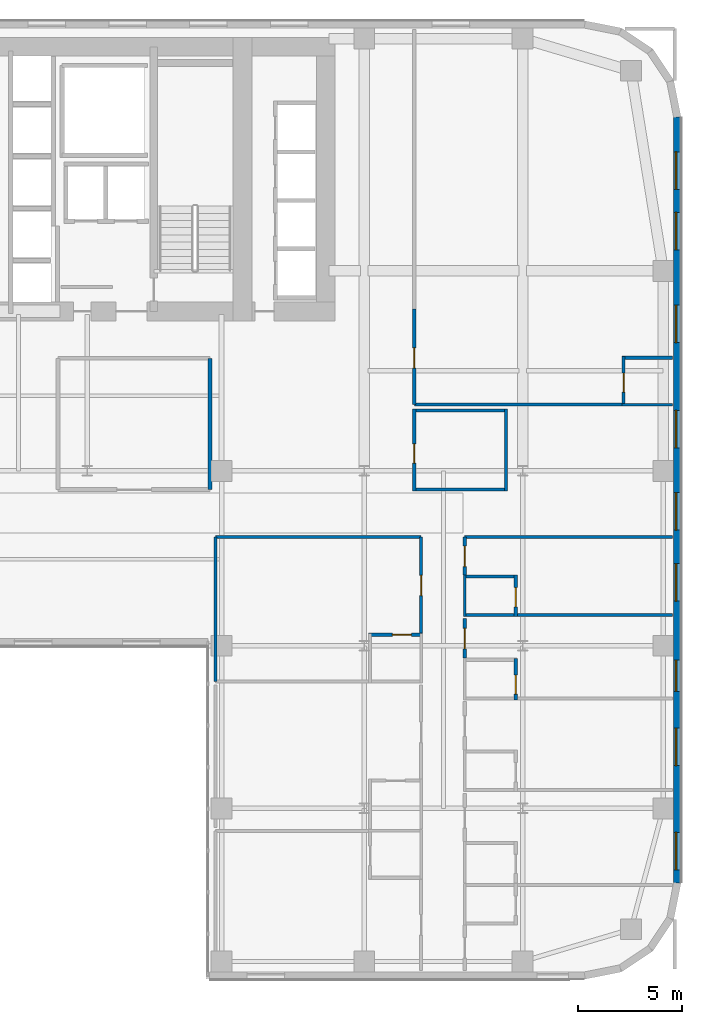
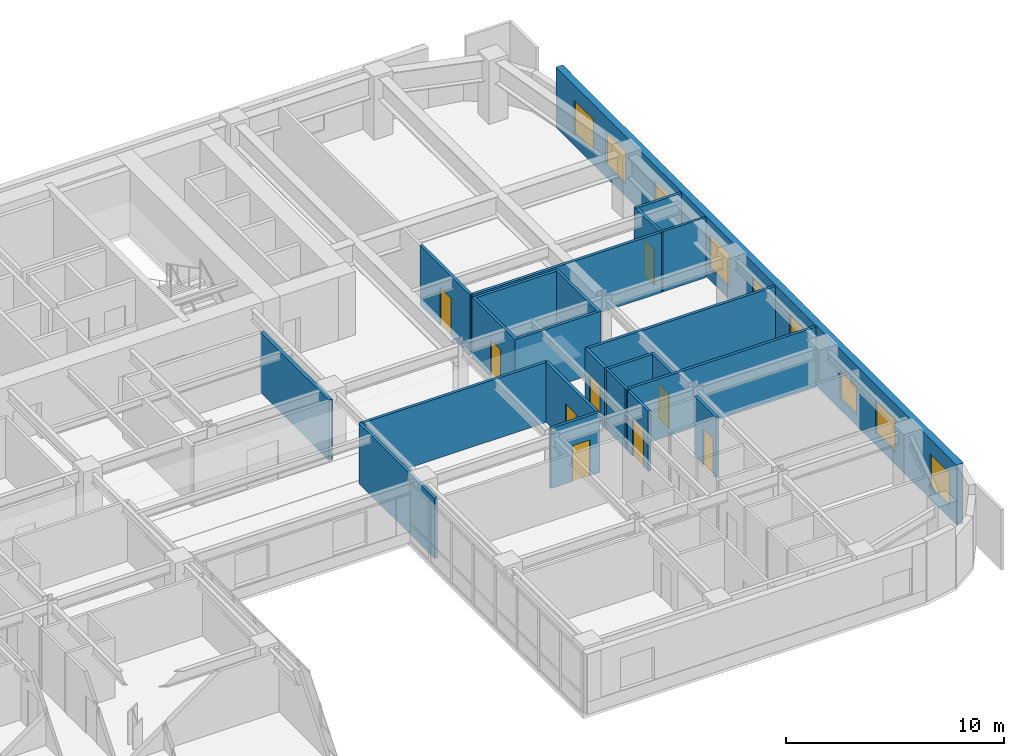
# One storey, part 17 of 25: 23 walls, 9 doors, 9 windows, 18 openings.
"""IFC4 building model written with IfcOpenShell, lengths in metres."""

from ifc_helpers import new_model, si_unit, direction, frame, frame_2d, origin, place, context, subcontext, project, spatial, rectangle, extrude, source, transform, mapped, material, layer, layer_set, type_object, type_shapes, element, fill, save


model = new_model("IFC4")

# Units and contexts
model_context = context("Model", 3, precision=1e-05, world=origin(), true_north=direction((0.0, 1.0)))
body_context = subcontext(model_context, "Body", "Model", "MODEL_VIEW")
ifc_project = project(units=[si_unit("LENGTHUNIT", "METRE"), si_unit("AREAUNIT", "SQUARE_METRE"), si_unit("VOLUMEUNIT", "CUBIC_METRE"), si_unit("PLANEANGLEUNIT", "RADIAN"), si_unit("MASSUNIT", "GRAM", prefix="KILO")], contexts=[model_context])

# Site, building, storey
site_placement = place(None, origin())
site = spatial("IfcSite", under=ifc_project, at=site_placement, CompositionType="ELEMENT")
building_placement = place(site_placement, origin())
building = spatial("IfcBuilding", under=site, at=building_placement, Name="Tolvann Quenvar Hotel", CompositionType="ELEMENT")
storey_placement = place(building_placement, frame((0.0, 0.0, 39.10009765625)))
storey = spatial("IfcBuildingStorey", under=building, at=storey_placement, Name="L08", CompositionType="ELEMENT", Elevation=39.10009765625)

# Wall, openings, windows
ifc_material_1 = material(Name="Kiln-fired red and buff architectural clay brickwork and terracotta masonry", Category="masonry")
ifc_layer_1 = layer(ifc_material_1, 0.35009765625)
ifc_layer_set_1 = layer_set([ifc_layer_1], Name="Kiln-fired red and buff architectural clay brickwork and terracotta masonry")
wall_type_1 = type_object("IfcWallType", Name="WALL_EXT_BRICK_350", PredefinedType="SOLIDWALL", material=ifc_layer_set_1)
wall_1_placement = place(storey_placement, frame((56.824951171875, 4.6171875, 0.0), z_axis=(0.0, 0.0, 1.0), x_axis=(0.0, 1.0, 0.0)))
wall_1 = element("IfcWall", 1, at=wall_1_placement, inside=storey, type_object=wall_type_1, Name="Exterior Chicago Brick Wall L08-E13", PredefinedType="SOLIDWALL", context=body_context, shape_type="SweptSolid", body=[
    extrude(rectangle(XDim=36.765625, YDim=0.35009765625, at=frame_2d((18.3828125, 0.0))), origin(), (0.0, 0.0, 1.0), 3.369873046875),
])
opening_1_placement = place(wall_1_placement, frame((0.6259765625, 0.0, 0.679931640625)))
opening_1 = element("IfcOpeningElement", 2, at=opening_1_placement, cuts=wall_1, Name="Opening W-03", PredefinedType="OPENING", context=body_context, shape_type="SweptSolid", body=[
    extrude(rectangle(XDim=1.800048828125, YDim=1.85009765625, at=frame_2d((0.89990234375, 0.925048828125))), frame((0.0, 0.18505859375, 0.0), z_axis=(0.0, -1.0, 0.0), x_axis=(1.0, 0.0, 0.0)), (0.0, 0.0, 1.0), 0.3701171875),
])
opening_2_placement = place(wall_1_placement, frame((5.6279296875, 0.0, 0.679931640625)))
opening_2 = element("IfcOpeningElement", 3, at=opening_2_placement, cuts=wall_1, Name="Opening W-03", PredefinedType="OPENING", context=body_context, shape_type="SweptSolid", body=[
    extrude(rectangle(XDim=1.800048828125, YDim=1.85009765625, at=frame_2d((0.89990234375, 0.925048828125))), frame((0.0, 0.18505859375, 0.0), z_axis=(0.0, -1.0, 0.0), x_axis=(1.0, 0.0, 0.0)), (0.0, 0.0, 1.0), 0.3701171875),
])
opening_3_placement = place(wall_1_placement, frame((13.531005859375, 0.0, 0.679931640625)))
opening_3 = element("IfcOpeningElement", 4, at=opening_3_placement, cuts=wall_1, Name="Opening W-03", PredefinedType="OPENING", context=body_context, shape_type="SweptSolid", body=[
    extrude(rectangle(XDim=1.800048828125, YDim=1.85009765625, at=frame_2d((0.89990234375, 0.925048828125))), frame((0.0, 0.18505859375, 0.0), z_axis=(0.0, -1.0, 0.0), x_axis=(1.0, 0.0, 0.0)), (0.0, 0.0, 1.0), 0.3701171875),
])
opening_4_placement = place(wall_1_placement, frame((16.93310546875, 0.0, 0.679931640625)))
opening_4 = element("IfcOpeningElement", 5, at=opening_4_placement, cuts=wall_1, Name="Opening W-03", PredefinedType="OPENING", context=body_context, shape_type="SweptSolid", body=[
    extrude(rectangle(XDim=1.800048828125, YDim=1.85009765625, at=frame_2d((0.89990234375, 0.925048828125))), frame((0.0, 0.18505859375, 0.0), z_axis=(0.0, -1.0, 0.0), x_axis=(1.0, 0.0, 0.0)), (0.0, 0.0, 1.0), 0.3701171875),
])
opening_5_placement = place(wall_1_placement, frame((20.885009765625, 0.0, 0.679931640625)))
opening_5 = element("IfcOpeningElement", 6, at=opening_5_placement, cuts=wall_1, Name="Opening W-03", PredefinedType="OPENING", context=body_context, shape_type="SweptSolid", body=[
    extrude(rectangle(XDim=1.800048828125, YDim=1.85009765625, at=frame_2d((0.89990234375, 0.925048828125))), frame((0.0, 0.18505859375, 0.0), z_axis=(0.0, -1.0, 0.0), x_axis=(1.0, 0.0, 0.0)), (0.0, 0.0, 1.0), 0.3701171875),
])
opening_6_placement = place(wall_1_placement, frame((25.93603515625, 0.0, 0.679931640625)))
opening_6 = element("IfcOpeningElement", 7, at=opening_6_placement, cuts=wall_1, Name="Opening W-03", PredefinedType="OPENING", context=body_context, shape_type="SweptSolid", body=[
    extrude(rectangle(XDim=1.800048828125, YDim=1.85009765625, at=frame_2d((0.89990234375, 0.925048828125))), frame((0.0, 0.18505859375, 0.0), z_axis=(0.0, -1.0, 0.0), x_axis=(1.0, 0.0, 0.0)), (0.0, 0.0, 1.0), 0.3701171875),
])
opening_7_placement = place(wall_1_placement, frame((30.387939453125, 0.0, 0.679931640625)))
opening_7 = element("IfcOpeningElement", 8, at=opening_7_placement, cuts=wall_1, Name="Opening W-03", PredefinedType="OPENING", context=body_context, shape_type="SweptSolid", body=[
    extrude(rectangle(XDim=1.800048828125, YDim=1.85009765625, at=frame_2d((0.89990234375, 0.925048828125))), frame((0.0, 0.18505859375, 0.0), z_axis=(0.0, -1.0, 0.0), x_axis=(1.0, 0.0, 0.0)), (0.0, 0.0, 1.0), 0.3701171875),
])
opening_8_placement = place(wall_1_placement, frame((33.2900390625, 0.0, 0.679931640625)))
opening_8 = element("IfcOpeningElement", 9, at=opening_8_placement, cuts=wall_1, Name="Opening W-03", PredefinedType="OPENING", context=body_context, shape_type="SweptSolid", body=[
    extrude(rectangle(XDim=1.800048828125, YDim=1.85009765625, at=frame_2d((0.89990234375, 0.925048828125))), frame((0.0, 0.18505859375, 0.0), z_axis=(0.0, -1.0, 0.0), x_axis=(1.0, 0.0, 0.0)), (0.0, 0.0, 1.0), 0.3701171875),
])
opening_9_placement = place(wall_1_placement, frame((9.193115234375, 0.0, 0.6201171875)))
opening_9 = element("IfcOpeningElement", 10, at=opening_9_placement, cuts=wall_1, Name="Opening W-08", PredefinedType="OPENING", context=body_context, shape_type="SweptSolid", body=[
    extrude(rectangle(XDim=1.5, YDim=1.550048828125, at=frame_2d((0.75, 0.77490234375))), frame((0.0, 0.18505859375, 0.0), z_axis=(0.0, -1.0, 0.0), x_axis=(1.0, 0.0, 0.0)), (0.0, 0.0, 1.0), 0.3701171875),
])
ifc_material_2 = material(Name="Thermally broken bronze-anodised aluminium frame with double low-E glazing", Category="aluminium")
window_type_1 = type_object("IfcWindowType", Name="WIN_COR_1500x2050", PartitioningType="SINGLE_PANEL", PredefinedType="WINDOW", material=ifc_material_2)
shared_shape_1 = source(origin(), body_context, "Body", "SweptSolid", [
    extrude(rectangle(XDim=1.5, YDim=1.550048828125, at=frame_2d((0.75, 0.77490234375))), frame((0.0, 0.090087890625, 0.0), z_axis=(0.0, -1.0, 0.0), x_axis=(1.0, 0.0, 0.0)), (0.0, 0.0, 1.0), 0.06005859375),
])
type_shapes(window_type_1, [shared_shape_1])
window_1_placement = place(opening_9_placement, origin())
window_1 = element("IfcWindow", 11, at=window_1_placement, inside=storey, type_object=window_type_1, Name="Chicago Window W-08 (EW-L08-E13-WD09)", OverallHeight=1.550048828125, OverallWidth=1.5, PartitioningType="SINGLE_PANEL", PredefinedType="WINDOW", context=body_context, shape_type="MappedRepresentation", body=[
    mapped(shared_shape_1, transform((0.0, 0.0, 0.0), x_axis=(1.0, 0.0, 0.0), y_axis=(0.0, 1.0, 0.0), z_axis=(0.0, 0.0, 1.0), scale=1.0)),
])
fill(opening_9, window_1)
window_type_2 = type_object("IfcWindowType", Name="WIN_CHI_1800x2050", PartitioningType="TRIPLE_PANEL_HORIZONTAL", PredefinedType="WINDOW", material=ifc_material_2)
shared_shape_2 = source(origin(), body_context, "Body", "SweptSolid", [
    extrude(rectangle(XDim=1.800048828125, YDim=1.85009765625, at=frame_2d((0.89990234375, 0.925048828125))), frame((0.0, 0.090087890625, 0.0), z_axis=(0.0, -1.0, 0.0), x_axis=(1.0, 0.0, 0.0)), (0.0, 0.0, 1.0), 0.06005859375),
])
type_shapes(window_type_2, [shared_shape_2])
window_2_placement = place(opening_1_placement, origin())
window_2 = element("IfcWindow", 12, at=window_2_placement, inside=storey, type_object=window_type_2, Name="Chicago Window W-03 (EW-L08-E13-W01)", OverallHeight=1.85009765625, OverallWidth=1.800048828125, PartitioningType="TRIPLE_PANEL_HORIZONTAL", PredefinedType="WINDOW", context=body_context, shape_type="MappedRepresentation", body=[
    mapped(shared_shape_2, transform((0.0, 0.0, 0.0), x_axis=(1.0, 0.0, 0.0), y_axis=(0.0, 1.0, 0.0), z_axis=(0.0, 0.0, 1.0), scale=1.0)),
])
fill(opening_1, window_2)
window_3_placement = place(opening_2_placement, origin())
window_3 = element("IfcWindow", 13, at=window_3_placement, inside=storey, type_object=window_type_2, Name="Chicago Window W-03 (EW-L08-E13-W02)", OverallHeight=1.85009765625, OverallWidth=1.800048828125, PartitioningType="TRIPLE_PANEL_HORIZONTAL", PredefinedType="WINDOW", context=body_context, shape_type="MappedRepresentation", body=[
    mapped(shared_shape_2, transform((0.0, 0.0, 0.0), x_axis=(1.0, 0.0, 0.0), y_axis=(0.0, 1.0, 0.0), z_axis=(0.0, 0.0, 1.0), scale=1.0)),
])
fill(opening_2, window_3)
window_4_placement = place(opening_3_placement, origin())
window_4 = element("IfcWindow", 14, at=window_4_placement, inside=storey, type_object=window_type_2, Name="Chicago Window W-03 (EW-L08-E13-W03)", OverallHeight=1.85009765625, OverallWidth=1.800048828125, PartitioningType="TRIPLE_PANEL_HORIZONTAL", PredefinedType="WINDOW", context=body_context, shape_type="MappedRepresentation", body=[
    mapped(shared_shape_2, transform((0.0, 0.0, 0.0), x_axis=(1.0, 0.0, 0.0), y_axis=(0.0, 1.0, 0.0), z_axis=(0.0, 0.0, 1.0), scale=1.0)),
])
fill(opening_3, window_4)
window_5_placement = place(opening_4_placement, origin())
window_5 = element("IfcWindow", 15, at=window_5_placement, inside=storey, type_object=window_type_2, Name="Chicago Window W-03 (EW-L08-E13-W04)", OverallHeight=1.85009765625, OverallWidth=1.800048828125, PartitioningType="TRIPLE_PANEL_HORIZONTAL", PredefinedType="WINDOW", context=body_context, shape_type="MappedRepresentation", body=[
    mapped(shared_shape_2, transform((0.0, 0.0, 0.0), x_axis=(1.0, 0.0, 0.0), y_axis=(0.0, 1.0, 0.0), z_axis=(0.0, 0.0, 1.0), scale=1.0)),
])
fill(opening_4, window_5)
window_6_placement = place(opening_5_placement, origin())
window_6 = element("IfcWindow", 16, at=window_6_placement, inside=storey, type_object=window_type_2, Name="Chicago Window W-03 (EW-L08-E13-W05)", OverallHeight=1.85009765625, OverallWidth=1.800048828125, PartitioningType="TRIPLE_PANEL_HORIZONTAL", PredefinedType="WINDOW", context=body_context, shape_type="MappedRepresentation", body=[
    mapped(shared_shape_2, transform((0.0, 0.0, 0.0), x_axis=(1.0, 0.0, 0.0), y_axis=(0.0, 1.0, 0.0), z_axis=(0.0, 0.0, 1.0), scale=1.0)),
])
fill(opening_5, window_6)
window_7_placement = place(opening_6_placement, origin())
window_7 = element("IfcWindow", 17, at=window_7_placement, inside=storey, type_object=window_type_2, Name="Chicago Window W-03 (EW-L08-E13-W06)", OverallHeight=1.85009765625, OverallWidth=1.800048828125, PartitioningType="TRIPLE_PANEL_HORIZONTAL", PredefinedType="WINDOW", context=body_context, shape_type="MappedRepresentation", body=[
    mapped(shared_shape_2, transform((0.0, 0.0, 0.0), x_axis=(1.0, 0.0, 0.0), y_axis=(0.0, 1.0, 0.0), z_axis=(0.0, 0.0, 1.0), scale=1.0)),
])
fill(opening_6, window_7)
window_8_placement = place(opening_7_placement, origin())
window_8 = element("IfcWindow", 18, at=window_8_placement, inside=storey, type_object=window_type_2, Name="Chicago Window W-03 (EW-L08-E13-W07)", OverallHeight=1.85009765625, OverallWidth=1.800048828125, PartitioningType="TRIPLE_PANEL_HORIZONTAL", PredefinedType="WINDOW", context=body_context, shape_type="MappedRepresentation", body=[
    mapped(shared_shape_2, transform((0.0, 0.0, 0.0), x_axis=(1.0, 0.0, 0.0), y_axis=(0.0, 1.0, 0.0), z_axis=(0.0, 0.0, 1.0), scale=1.0)),
])
fill(opening_7, window_8)
window_9_placement = place(opening_8_placement, origin())
window_9 = element("IfcWindow", 19, at=window_9_placement, inside=storey, type_object=window_type_2, Name="Chicago Window W-03 (EW-L08-E13-W08)", OverallHeight=1.85009765625, OverallWidth=1.800048828125, PartitioningType="TRIPLE_PANEL_HORIZONTAL", PredefinedType="WINDOW", context=body_context, shape_type="MappedRepresentation", body=[
    mapped(shared_shape_2, transform((0.0, 0.0, 0.0), x_axis=(1.0, 0.0, 0.0), y_axis=(0.0, 1.0, 0.0), z_axis=(0.0, 0.0, 1.0), scale=1.0)),
])
fill(opening_8, window_9)

# Walls
ifc_material_3 = material(Name="Acoustic twin-stud fire-rated gypsum plasterboard partition")
ifc_layer_2 = layer(ifc_material_3, 0.179931640625)
ifc_layer_set_2 = layer_set([ifc_layer_2], Name="Acoustic twin-stud fire-rated gypsum plasterboard partition")
wall_type_2 = type_object("IfcWallType", Name="WALL_PART_ACOUSTIC_180", PredefinedType="PARTITIONING", material=ifc_layer_set_2)
wall_2_placement = place(storey_placement, frame((34.39990234375, 23.5, 0.0), z_axis=(0.0, 0.0, 1.0), x_axis=(0.0, 1.0, 0.0)))
element("IfcWall", 20, at=wall_2_placement, inside=storey, type_object=wall_type_2, Name="Interior Partition PT-SPC-L08-MSP-C-E", PredefinedType="PARTITIONING", context=body_context, shape_type="SweptSolid", body=[
    extrude(rectangle(XDim=6.300048828125, YDim=0.179931640625, at=frame_2d((3.14990234375, 0.0))), origin(), (0.0, 0.0, 1.0), 3.369873046875),
])
ifc_material_4 = material(Name="Moisture-resistant acoustic plumbing wall assembly")
ifc_layer_3 = layer(ifc_material_4, 0.1201171875)
ifc_layer_set_3 = layer_set([ifc_layer_3], Name="Moisture-resistant acoustic plumbing wall assembly")
wall_type_3 = type_object("IfcWallType", Name="WALL_PART_BATH_120", PredefinedType="PLUMBINGWALL", material=ifc_layer_set_3)
wall_3_placement = place(storey_placement, frame((46.6201171875, 17.409912109375, 0.0), z_axis=(0.0, 0.0, 1.0), x_axis=(0.0, 1.0, 0.0)))
element("IfcWall", 21, at=wall_3_placement, inside=storey, type_object=wall_type_3, Name="Non-Rated Plumbing Partition PT-SPC-L08-ENS-EO05-W", PredefinedType="PLUMBINGWALL", context=body_context, shape_type="SweptSolid", body=[
    extrude(rectangle(XDim=1.989990234375, YDim=0.1201171875, at=frame_2d((0.9951171875, 0.0))), origin(), (0.0, 0.0, 1.0), 3.369873046875),
])
wall_4_placement = place(storey_placement, frame((54.179931640625, 27.580078125, 0.0), z_axis=(0.0, 0.0, 1.0), x_axis=(1.0, 0.0, 0.0)))
element("IfcWall", 22, at=wall_4_placement, inside=storey, type_object=wall_type_3, Name="Non-Rated Plumbing Partition PT-SPC-L08-ENS-NE01-S", PredefinedType="PLUMBINGWALL", context=body_context, shape_type="SweptSolid", body=[
    extrude(rectangle(XDim=2.4150390625, YDim=0.1201171875, at=frame_2d((1.20751953125, 0.0))), origin(), (0.0, 0.0, 1.0), 3.369873046875),
])

# Wall, opening, door
ifc_layer_4 = layer(ifc_material_3, 0.14990234375)
ifc_layer_set_4 = layer_set([ifc_layer_4], Name="Acoustic twin-stud fire-rated gypsum plasterboard partition")
wall_type_4 = type_object("IfcWallType", Name="WALL_PART_SUITE_150", PredefinedType="PARTITIONING", material=ifc_layer_set_4)
wall_5_placement = place(storey_placement, frame((42.010009765625, 16.530029296875, 0.0), z_axis=(0.0, 0.0, 1.0), x_axis=(1.0, 0.0, 0.0)))
wall_5 = element("IfcWall", 23, at=wall_5_placement, inside=storey, type_object=wall_type_4, Name="Interior Partition PT-SPC-L08-ENS-EI03-N", PredefinedType="PARTITIONING", context=body_context, shape_type="SweptSolid", body=[
    extrude(rectangle(XDim=2.590087890625, YDim=0.14990234375, at=frame_2d((1.294921875, 0.0))), origin(), (0.0, 0.0, 1.0), 3.369873046875),
])
opening_10_placement = place(wall_5_placement, frame((1.135009765625, 0.0, 0.0)))
opening_10 = element("IfcOpeningElement", 24, at=opening_10_placement, cuts=wall_5, Name="Opening WD-01", PredefinedType="OPENING", context=body_context, shape_type="SweptSolid", body=[
    extrude(rectangle(XDim=0.919921875, YDim=2.010009765625, at=frame_2d((0.4599609375, 1.0048828125))), frame((0.0, 0.0849609375, 0.0), z_axis=(0.0, -1.0, 0.0), x_axis=(1.0, 0.0, 0.0)), (0.0, 0.0, 1.0), 0.169921875),
])
ifc_material_5 = material(Name="Solid-core American oak acoustic fire door leaf in steel frame", Category="steel")
door_type_1 = type_object("IfcDoorType", Name="DOOR_WC_920", OperationType="NOTDEFINED", PredefinedType="DOOR", material=ifc_material_5)
shared_shape_3 = source(origin(), body_context, "Body", "SweptSolid", [
    extrude(rectangle(XDim=0.919921875, YDim=2.010009765625, at=frame_2d((0.4599609375, 1.0048828125))), frame((0.0, 0.02490234375, 0.0), z_axis=(0.0, -1.0, 0.0), x_axis=(1.0, 0.0, 0.0)), (0.0, 0.0, 1.0), 0.050048828125),
])
type_shapes(door_type_1, [shared_shape_3])
door_1_placement = place(opening_10_placement, origin())
door_1 = element("IfcDoor", 25, at=door_1_placement, inside=storey, type_object=door_type_1, Name="Interior Door DOOR-SPC-L08-ENS-EI03", OperationType="SINGLE_SWING_RIGHT", OverallHeight=2.010009765625, OverallWidth=0.919921875, PredefinedType="DOOR", context=body_context, shape_type="MappedRepresentation", body=[
    mapped(shared_shape_3, transform((0.0, 0.0, 0.0), x_axis=(1.0, 0.0, 0.0), y_axis=(0.0, 1.0, 0.0), z_axis=(0.0, 0.0, 1.0), scale=1.0)),
])
fill(opening_10, door_1)

wall_6_placement = place(storey_placement, frame((49.070068359375, 13.409912109375, 0.0), z_axis=(0.0, 0.0, 1.0), x_axis=(0.0, 1.0, 0.0)))
wall_6 = element("IfcWall", 26, at=wall_6_placement, inside=storey, type_object=wall_type_4, Name="Interior Partition PT-SPC-L08-ENS-EO04-ENT", PredefinedType="PARTITIONING", context=body_context, shape_type="SweptSolid", body=[
    extrude(rectangle(XDim=1.989990234375, YDim=0.14990234375, at=frame_2d((0.9951171875, 0.0))), origin(), (0.0, 0.0, 1.0), 3.369873046875),
])
opening_11_placement = place(wall_6_placement, frame((0.27001953125, 0.0, 0.0)))
opening_11 = element("IfcOpeningElement", 27, at=opening_11_placement, cuts=wall_6, Name="Opening WD-01", PredefinedType="OPENING", context=body_context, shape_type="SweptSolid", body=[
    extrude(rectangle(XDim=0.919921875, YDim=2.010009765625, at=frame_2d((0.4599609375, 1.0048828125))), frame((0.0, 0.0849609375, 0.0), z_axis=(0.0, -1.0, 0.0), x_axis=(1.0, 0.0, 0.0)), (0.0, 0.0, 1.0), 0.169921875),
])
door_2_placement = place(opening_11_placement, origin())
door_2 = element("IfcDoor", 28, at=door_2_placement, inside=storey, type_object=door_type_1, Name="Interior Door DOOR-SPC-L08-ENS-EO04", OperationType="SINGLE_SWING_RIGHT", OverallHeight=2.010009765625, OverallWidth=0.919921875, PredefinedType="DOOR", context=body_context, shape_type="MappedRepresentation", body=[
    mapped(shared_shape_3, transform((0.0, 0.0, 0.0), x_axis=(1.0, 0.0, 0.0), y_axis=(0.0, 1.0, 0.0), z_axis=(0.0, 0.0, 1.0), scale=1.0)),
])
fill(opening_11, door_2)

wall_7_placement = place(storey_placement, frame((49.070068359375, 17.409912109375, 0.0), z_axis=(0.0, 0.0, 1.0), x_axis=(0.0, 1.0, 0.0)))
wall_7 = element("IfcWall", 29, at=wall_7_placement, inside=storey, type_object=wall_type_4, Name="Interior Partition PT-SPC-L08-ENS-EO05-ENT", PredefinedType="PARTITIONING", context=body_context, shape_type="SweptSolid", body=[
    extrude(rectangle(XDim=1.989990234375, YDim=0.14990234375, at=frame_2d((0.9951171875, 0.0))), origin(), (0.0, 0.0, 1.0), 3.369873046875),
])
opening_12_placement = place(wall_7_placement, frame((0.465087890625, 0.0, 0.0)))
opening_12 = element("IfcOpeningElement", 30, at=opening_12_placement, cuts=wall_7, Name="Opening WD-01", PredefinedType="OPENING", context=body_context, shape_type="SweptSolid", body=[
    extrude(rectangle(XDim=0.919921875, YDim=2.010009765625, at=frame_2d((0.4599609375, 1.0048828125))), frame((0.0, 0.0849609375, 0.0), z_axis=(0.0, -1.0, 0.0), x_axis=(1.0, 0.0, 0.0)), (0.0, 0.0, 1.0), 0.169921875),
])
door_3_placement = place(opening_12_placement, origin())
door_3 = element("IfcDoor", 31, at=door_3_placement, inside=storey, type_object=door_type_1, Name="Interior Door DOOR-SPC-L08-ENS-EO05", OperationType="SINGLE_SWING_LEFT", OverallHeight=2.010009765625, OverallWidth=0.919921875, PredefinedType="DOOR", context=body_context, shape_type="MappedRepresentation", body=[
    mapped(shared_shape_3, transform((0.0, 0.0, 0.0), x_axis=(1.0, 0.0, 0.0), y_axis=(0.0, 1.0, 0.0), z_axis=(0.0, 0.0, 1.0), scale=1.0)),
])
fill(opening_12, door_3)

# Walls
wall_8_placement = place(storey_placement, frame((46.550048828125, 17.47998046875, 0.0), z_axis=(0.0, 0.0, 1.0), x_axis=(1.0, 0.0, 0.0)))
element("IfcWall", 32, at=wall_8_placement, inside=storey, type_object=wall_type_4, Name="Interior Partition PT-SPC-L08-ENS-EO05-S", PredefinedType="PARTITIONING", context=body_context, shape_type="SweptSolid", body=[
    extrude(rectangle(XDim=10.044921875, YDim=0.14990234375, at=frame_2d((5.0224609375, 0.0))), origin(), (0.0, 0.0, 1.0), 3.369873046875),
])
wall_9_placement = place(storey_placement, frame((46.550048828125, 19.330078125, 0.0), z_axis=(0.0, 0.0, 1.0), x_axis=(1.0, 0.0, 0.0)))
element("IfcWall", 33, at=wall_9_placement, inside=storey, type_object=wall_type_4, Name="Interior Partition PT-SPC-L08-ENS-EO05-N", PredefinedType="PARTITIONING", context=body_context, shape_type="SweptSolid", body=[
    extrude(rectangle(XDim=2.58984375, YDim=0.14990234375, at=frame_2d((1.294921875, 0.0))), origin(), (0.0, 0.0, 1.0), 3.369873046875),
])

# Wall, opening, door
wall_10_placement = place(storey_placement, frame((54.25, 27.510009765625, 0.0), z_axis=(0.0, 0.0, 1.0), x_axis=(0.0, 1.0, 0.0)))
wall_10 = element("IfcWall", 34, at=wall_10_placement, inside=storey, type_object=wall_type_4, Name="Interior Partition PT-SPC-L08-ENS-NE01-ENT", PredefinedType="PARTITIONING", context=body_context, shape_type="SweptSolid", body=[
    extrude(rectangle(XDim=2.389892578125, YDim=0.14990234375, at=frame_2d((1.19482421875, 0.0))), origin(), (0.0, 0.0, 1.0), 3.369873046875),
])
opening_13_placement = place(wall_10_placement, frame((0.6650390625, 0.0, 0.0)))
opening_13 = element("IfcOpeningElement", 35, at=opening_13_placement, cuts=wall_10, Name="Opening WD-01", PredefinedType="OPENING", context=body_context, shape_type="SweptSolid", body=[
    extrude(rectangle(XDim=0.919921875, YDim=2.010009765625, at=frame_2d((0.4599609375, 1.0048828125))), frame((0.0, 0.0849609375, 0.0), z_axis=(0.0, -1.0, 0.0), x_axis=(1.0, 0.0, 0.0)), (0.0, 0.0, 1.0), 0.169921875),
])
door_4_placement = place(opening_13_placement, origin())
door_4 = element("IfcDoor", 36, at=door_4_placement, inside=storey, type_object=door_type_1, Name="Interior Door DOOR-SPC-L08-ENS-NE01", OperationType="SINGLE_SWING_LEFT", OverallHeight=2.010009765625, OverallWidth=0.919921875, PredefinedType="DOOR", context=body_context, shape_type="MappedRepresentation", body=[
    mapped(shared_shape_3, transform((0.0, 0.0, 0.0), x_axis=(1.0, 0.0, 0.0), y_axis=(0.0, 1.0, 0.0), z_axis=(0.0, 0.0, 1.0), scale=1.0)),
])
fill(opening_13, door_4)

# Wall
wall_11_placement = place(storey_placement, frame((54.179931640625, 29.830078125, 0.0), z_axis=(0.0, 0.0, 1.0), x_axis=(1.0, 0.0, 0.0)))
element("IfcWall", 37, at=wall_11_placement, inside=storey, type_object=wall_type_4, Name="Interior Partition PT-SPC-L08-ENS-NE01-N", PredefinedType="PARTITIONING", context=body_context, shape_type="SweptSolid", body=[
    extrude(rectangle(XDim=2.4150390625, YDim=0.14990234375, at=frame_2d((1.20751953125, 0.0))), origin(), (0.0, 0.0, 1.0), 3.369873046875),
])

# Wall, opening, door
wall_12_placement = place(storey_placement, frame((44.530029296875, 16.610107421875, 0.0), z_axis=(0.0, 0.0, 1.0), x_axis=(0.0, 1.0, 0.0)))
wall_12 = element("IfcWall", 38, at=wall_12_placement, inside=storey, type_object=wall_type_4, Name="Interior Partition PT-SPC-L08-RM-EI03-ENT", PredefinedType="PARTITIONING", context=body_context, shape_type="SweptSolid", body=[
    extrude(rectangle(XDim=4.60986328125, YDim=0.14990234375, at=frame_2d((2.304931640625, 0.0))), origin(), (0.0, 0.0, 1.0), 3.369873046875),
])
opening_14_placement = place(wall_12_placement, frame((1.794921875, 0.0, 0.0)))
opening_14 = element("IfcOpeningElement", 39, at=opening_14_placement, cuts=wall_12, Name="Opening SD-01", PredefinedType="OPENING", context=body_context, shape_type="SweptSolid", body=[
    extrude(rectangle(XDim=0.97998046875, YDim=2.1201171875, at=frame_2d((0.489990234375, 1.06005859375))), frame((0.0, 0.0849609375, 0.0), z_axis=(0.0, -1.0, 0.0), x_axis=(1.0, 0.0, 0.0)), (0.0, 0.0, 1.0), 0.169921875),
])
door_type_2 = type_object("IfcDoorType", Name="DOOR_SUITE_980", OperationType="NOTDEFINED", PredefinedType="DOOR", material=ifc_material_5)
shared_shape_4 = source(origin(), body_context, "Body", "SweptSolid", [
    extrude(rectangle(XDim=0.97998046875, YDim=2.1201171875, at=frame_2d((0.489990234375, 1.06005859375))), frame((0.0, 0.02490234375, 0.0), z_axis=(0.0, -1.0, 0.0), x_axis=(1.0, 0.0, 0.0)), (0.0, 0.0, 1.0), 0.050048828125),
])
type_shapes(door_type_2, [shared_shape_4])
door_5_placement = place(opening_14_placement, origin())
door_5 = element("IfcDoor", 40, at=door_5_placement, inside=storey, type_object=door_type_2, Name="Interior Door DOOR-SPC-L08-RM-EI03", OperationType="SINGLE_SWING_RIGHT", OverallHeight=2.1201171875, OverallWidth=0.97998046875, PredefinedType="DOOR", context=body_context, shape_type="MappedRepresentation", body=[
    mapped(shared_shape_4, transform((0.0, 0.0, 0.0), x_axis=(1.0, 0.0, 0.0), y_axis=(0.0, 1.0, 0.0), z_axis=(0.0, 0.0, 1.0), scale=1.0)),
])
fill(opening_14, door_5)

# Walls
wall_13_placement = place(storey_placement, frame((34.64990234375, 21.219970703125, 0.0), z_axis=(0.0, 0.0, 1.0), x_axis=(1.0, 0.0, 0.0)))
element("IfcWall", 41, at=wall_13_placement, inside=storey, type_object=wall_type_4, Name="Interior Partition PT-SPC-L08-RM-EI03-E5", PredefinedType="PARTITIONING", context=body_context, shape_type="SweptSolid", body=[
    extrude(rectangle(XDim=9.880126953125, YDim=0.14990234375, at=frame_2d((4.93994140625, 0.0))), origin(), (0.0, 0.0, 1.0), 3.369873046875),
])
wall_14_placement = place(storey_placement, frame((34.64990234375, 14.280029296875, 0.0), z_axis=(0.0, 0.0, 1.0), x_axis=(0.0, 1.0, 0.0)))
element("IfcWall", 42, at=wall_14_placement, inside=storey, type_object=wall_type_4, Name="Interior Partition PT-SPC-L08-RM-EI03-E6", PredefinedType="PARTITIONING", context=body_context, shape_type="SweptSolid", body=[
    extrude(rectangle(XDim=6.93994140625, YDim=0.14990234375, at=frame_2d((3.469970703125, 0.0))), origin(), (0.0, 0.0, 1.0), 3.369873046875),
])

# Wall, opening, door
wall_15_placement = place(storey_placement, frame((46.6201171875, 15.409912109375, 0.0), z_axis=(0.0, 0.0, 1.0), x_axis=(0.0, 1.0, 0.0)))
wall_15 = element("IfcWall", 43, at=wall_15_placement, inside=storey, type_object=wall_type_4, Name="Interior Partition PT-SPC-L08-RM-EO04-ENT", PredefinedType="PARTITIONING", context=body_context, shape_type="SweptSolid", body=[
    extrude(rectangle(XDim=1.91015625, YDim=0.14990234375, at=frame_2d((0.955078125, 0.0))), origin(), (0.0, 0.0, 1.0), 3.369873046875),
])
opening_15_placement = place(wall_15_placement, frame((0.445068359375, 0.0, 0.0)))
opening_15 = element("IfcOpeningElement", 44, at=opening_15_placement, cuts=wall_15, Name="Opening SD-01", PredefinedType="OPENING", context=body_context, shape_type="SweptSolid", body=[
    extrude(rectangle(XDim=0.97998046875, YDim=2.1201171875, at=frame_2d((0.489990234375, 1.06005859375))), frame((0.0, 0.0849609375, 0.0), z_axis=(0.0, -1.0, 0.0), x_axis=(1.0, 0.0, 0.0)), (0.0, 0.0, 1.0), 0.169921875),
])
door_6_placement = place(opening_15_placement, origin())
door_6 = element("IfcDoor", 45, at=door_6_placement, inside=storey, type_object=door_type_2, Name="Interior Door DOOR-SPC-L08-RM-EO04", OperationType="SINGLE_SWING_RIGHT", OverallHeight=2.1201171875, OverallWidth=0.97998046875, PredefinedType="DOOR", context=body_context, shape_type="MappedRepresentation", body=[
    mapped(shared_shape_4, transform((0.0, 0.0, 0.0), x_axis=(1.0, 0.0, 0.0), y_axis=(0.0, 1.0, 0.0), z_axis=(0.0, 0.0, 1.0), scale=1.0)),
])
fill(opening_15, door_6)

wall_16_placement = place(storey_placement, frame((46.6201171875, 19.409912109375, 0.0), z_axis=(0.0, 0.0, 1.0), x_axis=(0.0, 1.0, 0.0)))
wall_16 = element("IfcWall", 46, at=wall_16_placement, inside=storey, type_object=wall_type_4, Name="Interior Partition PT-SPC-L08-RM-EO05-ENT", PredefinedType="PARTITIONING", context=body_context, shape_type="SweptSolid", body=[
    extrude(rectangle(XDim=1.81005859375, YDim=0.14990234375, at=frame_2d((0.905029296875, 0.0))), origin(), (0.0, 0.0, 1.0), 3.369873046875),
])
opening_16_placement = place(wall_16_placement, frame((0.39501953125, 0.0, 0.0)))
opening_16 = element("IfcOpeningElement", 47, at=opening_16_placement, cuts=wall_16, Name="Opening SD-01", PredefinedType="OPENING", context=body_context, shape_type="SweptSolid", body=[
    extrude(rectangle(XDim=0.97998046875, YDim=2.1201171875, at=frame_2d((0.489990234375, 1.06005859375))), frame((0.0, 0.0849609375, 0.0), z_axis=(0.0, -1.0, 0.0), x_axis=(1.0, 0.0, 0.0)), (0.0, 0.0, 1.0), 0.169921875),
])
door_7_placement = place(opening_16_placement, origin())
door_7 = element("IfcDoor", 48, at=door_7_placement, inside=storey, type_object=door_type_2, Name="Interior Door DOOR-SPC-L08-RM-EO05", OperationType="SINGLE_SWING_LEFT", OverallHeight=2.1201171875, OverallWidth=0.97998046875, PredefinedType="DOOR", context=body_context, shape_type="MappedRepresentation", body=[
    mapped(shared_shape_4, transform((0.0, 0.0, 0.0), x_axis=(1.0, 0.0, 0.0), y_axis=(0.0, 1.0, 0.0), z_axis=(0.0, 0.0, 1.0), scale=1.0)),
])
fill(opening_16, door_7)

# Wall
wall_17_placement = place(storey_placement, frame((46.6201171875, 21.219970703125, 0.0), z_axis=(0.0, 0.0, 1.0), x_axis=(1.0, 0.0, 0.0)))
element("IfcWall", 49, at=wall_17_placement, inside=storey, type_object=wall_type_4, Name="Interior Partition PT-SPC-L08-RM-EO05-E5", PredefinedType="PARTITIONING", context=body_context, shape_type="SweptSolid", body=[
    extrude(rectangle(XDim=9.974853515625, YDim=0.14990234375, at=frame_2d((4.9873046875, 0.0))), origin(), (0.0, 0.0, 1.0), 3.369873046875),
])

# Wall, opening, door
wall_18_placement = place(storey_placement, frame((44.199951171875, 23.429931640625, 0.0), z_axis=(0.0, 0.0, 1.0), x_axis=(0.0, 1.0, 0.0)))
wall_18 = element("IfcWall", 50, at=wall_18_placement, inside=storey, type_object=wall_type_4, Name="Interior Partition PT-SPC-L08-WCA-ENT", PredefinedType="PARTITIONING", context=body_context, shape_type="SweptSolid", body=[
    extrude(rectangle(XDim=3.940185546875, YDim=0.14990234375, at=frame_2d((1.97021484375, 0.0))), origin(), (0.0, 0.0, 1.0), 3.369873046875),
])
opening_17_placement = place(wall_18_placement, frame((1.340087890625, 0.0, 0.0)))
opening_17 = element("IfcOpeningElement", 51, at=opening_17_placement, cuts=wall_18, Name="Opening WD-01", PredefinedType="OPENING", context=body_context, shape_type="SweptSolid", body=[
    extrude(rectangle(XDim=0.919921875, YDim=2.010009765625, at=frame_2d((0.4599609375, 1.0048828125))), frame((0.0, 0.0849609375, 0.0), z_axis=(0.0, -1.0, 0.0), x_axis=(1.0, 0.0, 0.0)), (0.0, 0.0, 1.0), 0.169921875),
])
door_8_placement = place(opening_17_placement, origin())
door_8 = element("IfcDoor", 52, at=door_8_placement, inside=storey, type_object=door_type_1, Name="Interior Door DOOR-SPC-L08-WCA", OperationType="SINGLE_SWING_LEFT", OverallHeight=2.010009765625, OverallWidth=0.919921875, PredefinedType="DOOR", context=body_context, shape_type="MappedRepresentation", body=[
    mapped(shared_shape_3, transform((0.0, 0.0, 0.0), x_axis=(1.0, 0.0, 0.0), y_axis=(0.0, 1.0, 0.0), z_axis=(0.0, 0.0, 1.0), scale=1.0)),
])
fill(opening_17, door_8)

# Walls
for number, where, z_axis, x_axis, name in (
    (53, (44.1298828125, 23.5, 0.0), (0.0, 0.0, 1.0), (1.0, 0.0, 0.0), "Interior Partition PT-SPC-L08-WCA-S"),
    (54, (44.1298828125, 27.300048828125, 0.0), (0.0, 0.0, 1.0), (1.0, 0.0, 0.0), "Interior Partition PT-SPC-L08-WCA-N"),
):
    element("IfcWall", number, at=place(storey_placement, frame(where, z_axis=z_axis, x_axis=x_axis)), inside=storey, type_object=wall_type_4, Name=name, PredefinedType="PARTITIONING", context=body_context, shape_type="SweptSolid", body=[
        extrude(rectangle(XDim=4.5400390625, YDim=0.14990234375, at=frame_2d((2.27001953125, 0.0))), origin(), (0.0, 0.0, 1.0), 3.369873046875),
    ])
wall_19_placement = place(storey_placement, frame((48.60009765625, 23.429931640625, 0.0), z_axis=(0.0, 0.0, 1.0), x_axis=(0.0, 1.0, 0.0)))
element("IfcWall", 55, at=wall_19_placement, inside=storey, type_object=wall_type_4, Name="Interior Partition PT-SPC-L08-WCA-E", PredefinedType="PARTITIONING", context=body_context, shape_type="SweptSolid", body=[
    extrude(rectangle(XDim=3.940185546875, YDim=0.14990234375, at=frame_2d((1.97021484375, 0.0))), origin(), (0.0, 0.0, 1.0), 3.369873046875),
])

# Wall, opening, door
wall_20_placement = place(storey_placement, frame((44.199951171875, 27.580078125, 0.0), z_axis=(0.0, 0.0, 1.0), x_axis=(0.0, 1.0, 0.0)))
wall_20 = element("IfcWall", 56, at=wall_20_placement, inside=storey, type_object=wall_type_4, Name="Interior Partition PT-SPC-L08-RM-NE01-ENT", PredefinedType="PARTITIONING", context=body_context, shape_type="SweptSolid", body=[
    extrude(rectangle(XDim=4.579833984375, YDim=0.14990234375, at=frame_2d((2.2900390625, 0.0))), origin(), (0.0, 0.0, 1.0), 3.369873046875),
])
opening_18_placement = place(wall_20_placement, frame((1.7451171875, 0.0, 0.0)))
opening_18 = element("IfcOpeningElement", 57, at=opening_18_placement, cuts=wall_20, Name="Opening SD-01", PredefinedType="OPENING", context=body_context, shape_type="SweptSolid", body=[
    extrude(rectangle(XDim=0.97998046875, YDim=2.1201171875, at=frame_2d((0.489990234375, 1.06005859375))), frame((0.0, 0.0849609375, 0.0), z_axis=(0.0, -1.0, 0.0), x_axis=(1.0, 0.0, 0.0)), (0.0, 0.0, 1.0), 0.169921875),
])
door_9_placement = place(opening_18_placement, origin())
door_9 = element("IfcDoor", 58, at=door_9_placement, inside=storey, type_object=door_type_2, Name="Interior Door DOOR-SPC-L08-RM-NE01", OperationType="SINGLE_SWING_RIGHT", OverallHeight=2.1201171875, OverallWidth=0.97998046875, PredefinedType="DOOR", context=body_context, shape_type="MappedRepresentation", body=[
    mapped(shared_shape_4, transform((0.0, 0.0, 0.0), x_axis=(1.0, 0.0, 0.0), y_axis=(0.0, 1.0, 0.0), z_axis=(0.0, 0.0, 1.0), scale=1.0)),
])
fill(opening_18, door_9)

# Wall
wall_21_placement = place(storey_placement, frame((44.199951171875, 27.580078125, 0.0), z_axis=(0.0, 0.0, 1.0), x_axis=(1.0, 0.0, 0.0)))
element("IfcWall", 59, at=wall_21_placement, inside=storey, type_object=wall_type_4, Name="Interior Partition PT-SPC-L08-RM-NE01-E1", PredefinedType="PARTITIONING", context=body_context, shape_type="SweptSolid", body=[
    extrude(rectangle(XDim=10.030029296875, YDim=0.14990234375, at=frame_2d((5.01513671875, 0.0))), origin(), (0.0, 0.0, 1.0), 3.369873046875),
])

save(model, "model.ifc")
